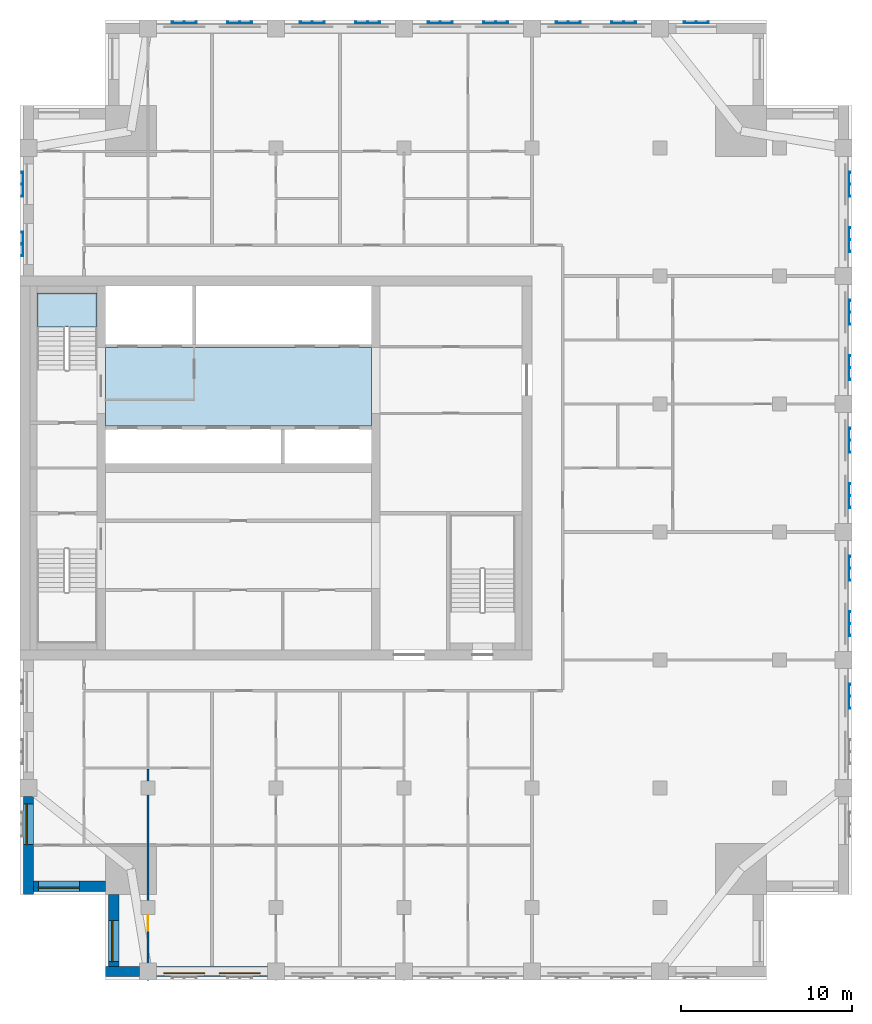
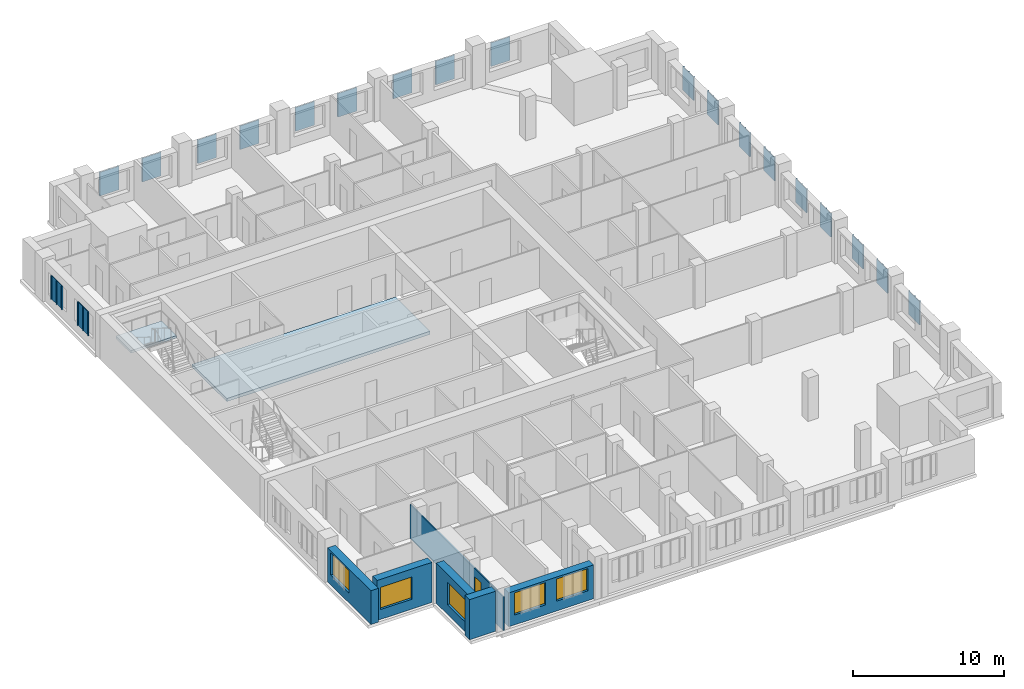
# One storey, part 2 of 10: 20 plates, 6 walls, 5 windows, 2 slabs, 1 door, 6 openings, 1 element without a shape of its own.
"""IFC4 building model written with IfcOpenShell, lengths in metres."""

import ifcopenshell
import ifcopenshell.guid

model = None  # the IFC model being written
_history = None  # IfcOwnerHistory: only IFC2X3 demands one
_inside = {}  # id of a spatial element -> (the spatial element, [elements in it])
_under = {}  # id of a project, library or spatial element -> (it, [spatial elements below it])
_declared = {}  # id of a project -> (the project, [libraries it declares])
_typed = {}  # id of a type object -> (the type object, [elements of that type])
_made_of = {}  # id of a material, layer set ... -> (it, [elements and type objects made of it])


def new_model(schema):
    """Start an empty IFC model of exactly this schema.

    Asked for "IFC4X3", IfcOpenShell would pick the latest addendum, in which some entities
    have other attributes; the version numbers below select the first issue.
    IFC2X3 requires an IfcOwnerHistory on every rooted entity: one is made here for all.
    """
    global model, _history
    if schema == "IFC4X3":
        model = ifcopenshell.file(schema_version=(4, 3, 0, 0))
    else:
        model = ifcopenshell.file(schema=schema)
    _inside.clear()
    _under.clear()
    _declared.clear()
    _typed.clear()
    _made_of.clear()
    _history = None
    if model.schema == "IFC2X3":
        org = make("IfcOrganization", Name="unknown")
        user = make(
            "IfcPersonAndOrganization",
            ThePerson=make("IfcPerson", FamilyName="unknown"),
            TheOrganization=org,
        )
        app = make(
            "IfcApplication",
            ApplicationDeveloper=org,
            Version="unknown",
            ApplicationFullName="unknown",
            ApplicationIdentifier="unknown",
        )
        _history = make(
            "IfcOwnerHistory",
            OwningUser=user,
            OwningApplication=app,
            ChangeAction="ADDED",
            CreationDate=0,
        )
    return model


def make(cls, **values):
    """One entity of the class cls with the attributes given. An attribute that is None is left unset."""
    return model.create_entity(
        cls, **{name: value for name, value in values.items() if value is not None}
    )


def rooted(cls, **values):
    """An entity with a GlobalId (a new one), such as an element, a storey or a relation."""
    return make(cls, GlobalId=ifcopenshell.guid.new(), OwnerHistory=_history, **values)


def si_unit(unit_type, name, prefix=None):
    """IfcSIUnit, for example si_unit("LENGTHUNIT", "METRE", prefix="MILLI")."""
    return make("IfcSIUnit", UnitType=unit_type, Prefix=prefix, Name=name)


def assignment(units):
    """IfcUnitAssignment: the units of a project."""
    return None if units is None else make("IfcUnitAssignment", Units=units)


def point(xyz):
    """IfcCartesianPoint."""
    return None if xyz is None else make("IfcCartesianPoint", Coordinates=xyz)


def direction(xyz):
    """IfcDirection."""
    return None if xyz is None else make("IfcDirection", DirectionRatios=xyz)


def frame(location, z_axis=None, x_axis=None):
    """IfcAxis2Placement3D, a coordinate frame: its origin and axes. An axis left out is left unset."""
    return make(
        "IfcAxis2Placement3D",
        Location=point(location),
        Axis=direction(z_axis),
        RefDirection=direction(x_axis),
    )


def frame_2d(location, x_axis=None):
    """IfcAxis2Placement2D, a coordinate frame in the plane: its origin and x axis."""
    return make(
        "IfcAxis2Placement2D", Location=point(location), RefDirection=direction(x_axis)
    )


def origin():
    """The frame at (0, 0, 0) with its axes left unset."""
    return frame((0.0, 0.0, 0.0))


def place(relative_to, where):
    """IfcLocalPlacement: puts the frame where relative to a parent placement (None: the world)."""
    return make(
        "IfcLocalPlacement", PlacementRelTo=relative_to, RelativePlacement=where
    )


def context(
    kind, dimensions, precision=None, world=None, true_north=None, identifier=None
):
    """IfcGeometricRepresentationContext, for example the 3D "Model" context."""
    return make(
        "IfcGeometricRepresentationContext",
        ContextIdentifier=identifier,
        ContextType=kind,
        CoordinateSpaceDimension=dimensions,
        Precision=precision,
        WorldCoordinateSystem=world,
        TrueNorth=true_north,
    )


def subcontext(parent, identifier, kind, view, scale=None):
    """IfcGeometricRepresentationSubContext, for example "Body" below "Model"."""
    return make(
        "IfcGeometricRepresentationSubContext",
        ContextIdentifier=identifier,
        ContextType=kind,
        ParentContext=parent,
        TargetScale=scale,
        TargetView=view,
    )


def project(units=None, contexts=None):
    """IfcProject with its units and contexts."""
    return rooted(
        "IfcProject",
        Name="project",
        RepresentationContexts=contexts,
        UnitsInContext=assignment(units),
    )


def spatial(cls, under=None, at=None, **own):
    """A site, building, storey or space (cls), placed at a placement, below another one or the project."""
    s = rooted(cls, ObjectPlacement=at, **own)
    if under is not None:
        _under.setdefault(under.id(), (under, []))[1].append(s)
    return s


def polyline(points):
    """IfcPolyline through the points."""
    return make("IfcPolyline", Points=[point(p) for p in points])


def profile(cls, at=None, kind="AREA", **sizes):
    """A parametric profile (cls). Its sizes go by their IFC names, for example OverallWidth=200.0."""
    return make(cls, ProfileType=kind, Position=at, **sizes)


def rectangle(**sizes):
    """IfcRectangleProfileDef."""
    return profile("IfcRectangleProfileDef", **sizes)


def outline(outer, holes=None, kind="AREA"):
    """IfcArbitraryClosedProfileDef: a profile drawn as a closed curve; with holes, ...WithVoids."""
    if holes is None:
        return make("IfcArbitraryClosedProfileDef", ProfileType=kind, OuterCurve=outer)
    return make(
        "IfcArbitraryProfileDefWithVoids",
        ProfileType=kind,
        OuterCurve=outer,
        InnerCurves=holes,
    )


def extrude(swept, where, along, depth):
    """IfcExtrudedAreaSolid: the profile swept, set in the frame where, extruded along a direction by depth."""
    return make(
        "IfcExtrudedAreaSolid",
        SweptArea=swept,
        Position=where,
        ExtrudedDirection=direction(along),
        Depth=depth,
    )


def shape(context_of_items, identifier, shape_type, items):
    """IfcShapeRepresentation: the items that make up one representation, for example the "Body"."""
    return make(
        "IfcShapeRepresentation",
        ContextOfItems=context_of_items,
        RepresentationIdentifier=identifier,
        RepresentationType=shape_type,
        Items=items,
    )


def material(Name=None, Category=None):
    """IfcMaterial."""
    return make("IfcMaterial", Name=Name, Category=Category)


def layer(
    of_material, thickness, ventilated=None, Name=None, Category=None, Priority=None
):
    """IfcMaterialLayer: one layer of a wall or slab, of a material (None: an air gap)."""
    return make(
        "IfcMaterialLayer",
        Material=of_material,
        LayerThickness=thickness,
        IsVentilated=ventilated,
        Name=Name,
        Category=Category,
        Priority=Priority,
    )


def layer_set(layers, Name=None):
    """IfcMaterialLayerSet."""
    return make("IfcMaterialLayerSet", MaterialLayers=layers, LayerSetName=Name)


def made_of(thing, what):
    """Note that an element or type object is made of a material, layer set ...; save() writes the relation."""
    if what is not None:
        _made_of.setdefault(what.id(), (what, []))[1].append(thing)
    return thing


def type_object(cls, material=None, **own):
    """A type object (cls), such as IfcWallType, which elements share."""
    return made_of(rooted(cls, **own), material)


def element(
    cls,
    number,
    at=None,
    inside=None,
    cuts=None,
    type_object=None,
    material=None,
    context=None,
    identifier="Body",
    shape_type=None,
    held_by="IfcProductDefinitionShape",
    body=None,
    shapes=None,
    **own,
):
    """One element of the class cls, such as IfcWall. Its Tag is "e" and its number.

    at: its placement. inside: the storey or other place that contains it. cuts: it is an
    opening in that element (IfcRelVoidsElement). A single representation is given by context,
    identifier, shape_type and body (its items); several are given by shapes. held_by: the class
    of the entity that holds the representations. save() writes the other relations.
    """
    e = rooted(cls, Tag="e%d" % number, ObjectPlacement=at, **own)
    if body is not None:
        shapes = [shape(context, identifier, shape_type, body)]
    if shapes is not None:
        e.Representation = make(held_by, Representations=shapes)
    if inside is not None:
        _inside.setdefault(inside.id(), (inside, []))[1].append(e)
    if cuts is not None:
        rooted(
            "IfcRelVoidsElement", RelatingBuildingElement=cuts, RelatedOpeningElement=e
        )
    if type_object is not None:
        _typed.setdefault(type_object.id(), (type_object, []))[1].append(e)
    return made_of(e, material)


def fill(opening, filler):
    """IfcRelFillsElement: the door or window that sits in an opening."""
    return rooted(
        "IfcRelFillsElement",
        RelatingOpeningElement=opening,
        RelatedBuildingElement=filler,
    )


def aggregate(whole, parts):
    """IfcRelAggregates: a whole, such as a stair, and the parts it consists of."""
    return rooted("IfcRelAggregates", RelatingObject=whole, RelatedObjects=parts)


def save(model, path):
    """Write the relations noted so far, then the file.

    IfcRelAggregates (storeys below a building ...), IfcRelContainedInSpatialStructure (elements
    in a storey), IfcRelDefinesByType, IfcRelAssociatesMaterial and IfcRelDeclares: one each for
    every whole, place, type object, material and project.
    """
    for whole, parts in _under.values():
        aggregate(whole, parts)
    for where, things in _inside.values():
        rooted(
            "IfcRelContainedInSpatialStructure",
            RelatedElements=things,
            RelatingStructure=where,
        )
    for kind, things in _typed.values():
        rooted("IfcRelDefinesByType", RelatedObjects=things, RelatingType=kind)
    for what, things in _made_of.values():
        rooted("IfcRelAssociatesMaterial", RelatedObjects=things, RelatingMaterial=what)
    for by, libraries in _declared.values():
        rooted("IfcRelDeclares", RelatingContext=by, RelatedDefinitions=libraries)
    model.write(path)


model = new_model("IFC4")

# Units and contexts
model_context = context("Model", 3, precision=1e-05, world=origin(), true_north=direction((0.0, 1.0)))
body_context = subcontext(model_context, "Body", "Model", "MODEL_VIEW")
ifc_project = project(units=[si_unit("LENGTHUNIT", "METRE"), si_unit("AREAUNIT", "SQUARE_METRE"), si_unit("VOLUMEUNIT", "CUBIC_METRE"), si_unit("PLANEANGLEUNIT", "RADIAN"), si_unit("MASSUNIT", "GRAM", prefix="KILO")], contexts=[model_context])

# Site, building, storey
site_placement = place(None, origin())
site = spatial("IfcSite", under=ifc_project, at=site_placement, CompositionType="ELEMENT")
building_placement = place(site_placement, origin())
building = spatial("IfcBuilding", under=site, at=building_placement, Name="Tamorin Gate", CompositionType="ELEMENT")
storey_placement = place(building_placement, frame((0.0, 0.0, 237.199951171875)))
storey = spatial("IfcBuildingStorey", under=building, at=storey_placement, Name="L59", CompositionType="ELEMENT", Elevation=237.199951171875)

# Slab
ifc_material_1 = material(Name="Concrete C40/50", Category="concrete")
ifc_layer_1 = layer(ifc_material_1, 0.25)
ifc_layer_set_1 = layer_set([ifc_layer_1], Name="Core floor slab 250 C40/50")
slab_type_1 = type_object("IfcSlabType", Name="Core floor slab 250 C40/50", PredefinedType="FLOOR", material=ifc_layer_set_1)
slab_1_placement = place(storey_placement, frame((0.0, 0.0, -0.25)))
element("IfcSlab", 1, at=slab_1_placement, inside=storey, type_object=slab_type_1, Name="Core floor L59", PredefinedType="FLOOR", context=body_context, shape_type="SweptSolid", body=[
    extrude(outline(polyline([(50.60009765625, 73.699951171875), (35.0, 73.699951171875), (35.0, 78.300048828125), (50.60009765625, 78.300048828125), (50.60009765625, 73.699951171875)])), origin(), (0.0, 0.0, 1.0), 0.25),
])

# Stair, slab
stair_type = type_object("IfcStairType", Name="Exit stair", PredefinedType="HALF_TURN_STAIR", material=ifc_material_1)
stair_placement = place(storey_placement, origin())
stair = element("IfcStair", 2, at=stair_placement, inside=storey, type_object=stair_type, Name="L59 stair ST2", PredefinedType="HALF_TURN_STAIR")
ifc_layer_2 = layer(ifc_material_1, 0.199951171875)
ifc_layer_set_2 = layer_set([ifc_layer_2], Name="Exit stair landing 200")
slab_type_2 = type_object("IfcSlabType", Name="Exit stair landing 200", PredefinedType="LANDING", material=ifc_layer_set_2)
slab_2_placement = place(storey_placement, frame((0.0, 0.0, 1.550048828125)))
slab_2 = element("IfcSlab", 3, at=slab_2_placement, type_object=slab_type_2, Name="ST2 landing 1", PredefinedType="LANDING", context=body_context, shape_type="SweptSolid", body=[
    extrude(outline(polyline([(34.5, 79.52001953125), (34.5, 81.5), (31.0, 81.5), (31.0, 79.52001953125), (34.5, 79.52001953125)])), origin(), (0.0, 0.0, 1.0), 0.199951171875),
])
aggregate(stair, [slab_2])

# Plates
ifc_material_2 = material(Name="Perforated pale aluminium sheet", Category="aluminium")
ifc_layer_3 = layer(ifc_material_2, 0.0400390625)
ifc_layer_set_3 = layer_set([ifc_layer_3], Name="Pale metal solar screen 1440")
plate_type = type_object("IfcPlateType", Name="Pale metal solar screen 1440", PredefinedType="SHEET", material=ifc_layer_set_3)
plate_1_placement = place(storey_placement, frame((0.0, 0.0, 0.737548828125)))
element("IfcPlate", 4, at=plate_1_placement, inside=storey, type_object=plate_type, Name="Perforated solar screen", PredefinedType="SHEET", context=body_context, shape_type="SweptSolid", body=[
    extrude(outline(polyline([(78.590087890625, 57.155029296875), (78.550048828125, 57.155029296875), (78.550048828125, 57.215087890625), (78.550048828125, 57.844970703125), (78.550048828125, 57.905029296875), (78.550048828125, 58.534912109375), (78.550048828125, 58.594970703125), (78.590087890625, 58.594970703125), (78.64990234375, 58.594970703125), (78.64990234375, 58.534912109375), (78.590087890625, 58.534912109375), (78.590087890625, 57.905029296875), (78.64990234375, 57.905029296875), (78.64990234375, 57.844970703125), (78.590087890625, 57.844970703125), (78.590087890625, 57.215087890625), (78.64990234375, 57.215087890625), (78.64990234375, 57.155029296875), (78.590087890625, 57.155029296875)])), origin(), (0.0, 0.0, 1.0), 1.925048828125),
])
plate_2_placement = place(storey_placement, frame((0.0, 0.0, 0.737548828125)))
element("IfcPlate", 5, at=plate_2_placement, inside=storey, type_object=plate_type, Name="Perforated solar screen", PredefinedType="SHEET", context=body_context, shape_type="SweptSolid", body=[
    extrude(outline(polyline([(78.590087890625, 61.405029296875), (78.550048828125, 61.405029296875), (78.550048828125, 61.465087890625), (78.550048828125, 62.094970703125), (78.550048828125, 62.155029296875), (78.550048828125, 62.784912109375), (78.550048828125, 62.844970703125), (78.590087890625, 62.844970703125), (78.64990234375, 62.844970703125), (78.64990234375, 62.784912109375), (78.590087890625, 62.784912109375), (78.590087890625, 62.155029296875), (78.64990234375, 62.155029296875), (78.64990234375, 62.094970703125), (78.590087890625, 62.094970703125), (78.590087890625, 61.465087890625), (78.64990234375, 61.465087890625), (78.64990234375, 61.405029296875), (78.590087890625, 61.405029296875)])), origin(), (0.0, 0.0, 1.0), 1.925048828125),
])
plate_3_placement = place(storey_placement, frame((0.0, 0.0, 0.737548828125)))
element("IfcPlate", 6, at=plate_3_placement, inside=storey, type_object=plate_type, Name="Perforated solar screen", PredefinedType="SHEET", context=body_context, shape_type="SweptSolid", body=[
    extrude(outline(polyline([(78.590087890625, 64.655029296875), (78.550048828125, 64.655029296875), (78.550048828125, 64.715087890625), (78.550048828125, 65.344970703125), (78.550048828125, 65.405029296875), (78.550048828125, 66.034912109375), (78.550048828125, 66.094970703125), (78.590087890625, 66.094970703125), (78.64990234375, 66.094970703125), (78.64990234375, 66.034912109375), (78.590087890625, 66.034912109375), (78.590087890625, 65.405029296875), (78.64990234375, 65.405029296875), (78.64990234375, 65.344970703125), (78.590087890625, 65.344970703125), (78.590087890625, 64.715087890625), (78.64990234375, 64.715087890625), (78.64990234375, 64.655029296875), (78.590087890625, 64.655029296875)])), origin(), (0.0, 0.0, 1.0), 1.925048828125),
])
plate_4_placement = place(storey_placement, frame((0.0, 0.0, 0.737548828125)))
element("IfcPlate", 7, at=plate_4_placement, inside=storey, type_object=plate_type, Name="Perforated solar screen", PredefinedType="SHEET", context=body_context, shape_type="SweptSolid", body=[
    extrude(outline(polyline([(78.590087890625, 68.905029296875), (78.550048828125, 68.905029296875), (78.550048828125, 68.965087890625), (78.550048828125, 69.594970703125), (78.550048828125, 69.655029296875), (78.550048828125, 70.284912109375), (78.550048828125, 70.344970703125), (78.590087890625, 70.344970703125), (78.64990234375, 70.344970703125), (78.64990234375, 70.284912109375), (78.590087890625, 70.284912109375), (78.590087890625, 69.655029296875), (78.64990234375, 69.655029296875), (78.64990234375, 69.594970703125), (78.590087890625, 69.594970703125), (78.590087890625, 68.965087890625), (78.64990234375, 68.965087890625), (78.64990234375, 68.905029296875), (78.590087890625, 68.905029296875)])), origin(), (0.0, 0.0, 1.0), 1.925048828125),
])
plate_5_placement = place(storey_placement, frame((0.0, 0.0, 0.737548828125)))
element("IfcPlate", 8, at=plate_5_placement, inside=storey, type_object=plate_type, Name="Perforated solar screen", PredefinedType="SHEET", context=body_context, shape_type="SweptSolid", body=[
    extrude(outline(polyline([(78.590087890625, 72.155029296875), (78.550048828125, 72.155029296875), (78.550048828125, 72.215087890625), (78.550048828125, 72.844970703125), (78.550048828125, 72.905029296875), (78.550048828125, 73.534912109375), (78.550048828125, 73.594970703125), (78.590087890625, 73.594970703125), (78.64990234375, 73.594970703125), (78.64990234375, 73.534912109375), (78.590087890625, 73.534912109375), (78.590087890625, 72.905029296875), (78.64990234375, 72.905029296875), (78.64990234375, 72.844970703125), (78.590087890625, 72.844970703125), (78.590087890625, 72.215087890625), (78.64990234375, 72.215087890625), (78.64990234375, 72.155029296875), (78.590087890625, 72.155029296875)])), origin(), (0.0, 0.0, 1.0), 1.925048828125),
])
plate_6_placement = place(storey_placement, frame((0.0, 0.0, 0.737548828125)))
element("IfcPlate", 9, at=plate_6_placement, inside=storey, type_object=plate_type, Name="Perforated solar screen", PredefinedType="SHEET", context=body_context, shape_type="SweptSolid", body=[
    extrude(outline(polyline([(78.590087890625, 76.405029296875), (78.550048828125, 76.405029296875), (78.550048828125, 76.465087890625), (78.550048828125, 77.094970703125), (78.550048828125, 77.155029296875), (78.550048828125, 77.784912109375), (78.550048828125, 77.844970703125), (78.590087890625, 77.844970703125), (78.64990234375, 77.844970703125), (78.64990234375, 77.784912109375), (78.590087890625, 77.784912109375), (78.590087890625, 77.155029296875), (78.64990234375, 77.155029296875), (78.64990234375, 77.094970703125), (78.590087890625, 77.094970703125), (78.590087890625, 76.465087890625), (78.64990234375, 76.465087890625), (78.64990234375, 76.405029296875), (78.590087890625, 76.405029296875)])), origin(), (0.0, 0.0, 1.0), 1.925048828125),
])
plate_7_placement = place(storey_placement, frame((0.0, 0.0, 0.737548828125)))
element("IfcPlate", 10, at=plate_7_placement, inside=storey, type_object=plate_type, Name="Perforated solar screen", PredefinedType="SHEET", context=body_context, shape_type="SweptSolid", body=[
    extrude(outline(polyline([(78.590087890625, 79.655029296875), (78.550048828125, 79.655029296875), (78.550048828125, 79.715087890625), (78.550048828125, 80.344970703125), (78.550048828125, 80.405029296875), (78.550048828125, 81.034912109375), (78.550048828125, 81.094970703125), (78.590087890625, 81.094970703125), (78.64990234375, 81.094970703125), (78.64990234375, 81.034912109375), (78.590087890625, 81.034912109375), (78.590087890625, 80.405029296875), (78.64990234375, 80.405029296875), (78.64990234375, 80.344970703125), (78.590087890625, 80.344970703125), (78.590087890625, 79.715087890625), (78.64990234375, 79.715087890625), (78.64990234375, 79.655029296875), (78.590087890625, 79.655029296875)])), origin(), (0.0, 0.0, 1.0), 1.925048828125),
])
plate_8_placement = place(storey_placement, frame((0.0, 0.0, 0.737548828125)))
element("IfcPlate", 11, at=plate_8_placement, inside=storey, type_object=plate_type, Name="Perforated solar screen", PredefinedType="SHEET", context=body_context, shape_type="SweptSolid", body=[
    extrude(outline(polyline([(78.590087890625, 83.905029296875), (78.550048828125, 83.905029296875), (78.550048828125, 83.965087890625), (78.550048828125, 84.594970703125), (78.550048828125, 84.655029296875), (78.550048828125, 85.284912109375), (78.550048828125, 85.344970703125), (78.590087890625, 85.344970703125), (78.64990234375, 85.344970703125), (78.64990234375, 85.284912109375), (78.590087890625, 85.284912109375), (78.590087890625, 84.655029296875), (78.64990234375, 84.655029296875), (78.64990234375, 84.594970703125), (78.590087890625, 84.594970703125), (78.590087890625, 83.965087890625), (78.64990234375, 83.965087890625), (78.64990234375, 83.905029296875), (78.590087890625, 83.905029296875)])), origin(), (0.0, 0.0, 1.0), 1.925048828125),
])
plate_9_placement = place(storey_placement, frame((0.0, 0.0, 0.737548828125)))
element("IfcPlate", 12, at=plate_9_placement, inside=storey, type_object=plate_type, Name="Perforated solar screen", PredefinedType="SHEET", context=body_context, shape_type="SweptSolid", body=[
    extrude(outline(polyline([(78.590087890625, 87.155029296875), (78.550048828125, 87.155029296875), (78.550048828125, 87.215087890625), (78.550048828125, 87.844970703125), (78.550048828125, 87.905029296875), (78.550048828125, 88.534912109375), (78.550048828125, 88.594970703125), (78.590087890625, 88.594970703125), (78.64990234375, 88.594970703125), (78.64990234375, 88.534912109375), (78.590087890625, 88.534912109375), (78.590087890625, 87.905029296875), (78.64990234375, 87.905029296875), (78.64990234375, 87.844970703125), (78.590087890625, 87.844970703125), (78.590087890625, 87.215087890625), (78.64990234375, 87.215087890625), (78.64990234375, 87.155029296875), (78.590087890625, 87.155029296875)])), origin(), (0.0, 0.0, 1.0), 1.925048828125),
])
plate_10_placement = place(storey_placement, frame((0.0, 0.0, 0.737548828125)))
element("IfcPlate", 13, at=plate_10_placement, inside=storey, type_object=plate_type, Name="Perforated solar screen", PredefinedType="SHEET", context=body_context, shape_type="SweptSolid", body=[
    extrude(outline(polyline([(70.344970703125, 97.340087890625), (70.344970703125, 97.300048828125), (70.284912109375, 97.300048828125), (69.655029296875, 97.300048828125), (69.594970703125, 97.300048828125), (68.965087890625, 97.300048828125), (68.905029296875, 97.300048828125), (68.905029296875, 97.300048828125), (68.905029296875, 97.340087890625), (68.905029296875, 97.340087890625), (68.905029296875, 97.39990234375), (68.965087890625, 97.39990234375), (68.965087890625, 97.340087890625), (69.594970703125, 97.340087890625), (69.594970703125, 97.39990234375), (69.655029296875, 97.39990234375), (69.655029296875, 97.340087890625), (70.284912109375, 97.340087890625), (70.284912109375, 97.39990234375), (70.344970703125, 97.39990234375), (70.344970703125, 97.340087890625)])), origin(), (0.0, 0.0, 1.0), 1.925048828125),
])
plate_11_placement = place(storey_placement, frame((0.0, 0.0, 0.737548828125)))
element("IfcPlate", 14, at=plate_11_placement, inside=storey, type_object=plate_type, Name="Perforated solar screen", PredefinedType="SHEET", context=body_context, shape_type="SweptSolid", body=[
    extrude(outline(polyline([(62.844970703125, 97.340087890625), (62.844970703125, 97.300048828125), (62.784912109375, 97.300048828125), (62.155029296875, 97.300048828125), (62.094970703125, 97.300048828125), (61.465087890625, 97.300048828125), (61.405029296875, 97.300048828125), (61.405029296875, 97.340087890625), (61.405029296875, 97.39990234375), (61.465087890625, 97.39990234375), (61.465087890625, 97.340087890625), (62.094970703125, 97.340087890625), (62.094970703125, 97.39990234375), (62.155029296875, 97.39990234375), (62.155029296875, 97.340087890625), (62.784912109375, 97.340087890625), (62.784912109375, 97.39990234375), (62.844970703125, 97.39990234375), (62.844970703125, 97.340087890625)])), origin(), (0.0, 0.0, 1.0), 1.925048828125),
])
plate_12_placement = place(storey_placement, frame((0.0, 0.0, 0.737548828125)))
element("IfcPlate", 15, at=plate_12_placement, inside=storey, type_object=plate_type, Name="Perforated solar screen", PredefinedType="SHEET", context=body_context, shape_type="SweptSolid", body=[
    extrude(outline(polyline([(66.094970703125, 97.340087890625), (66.094970703125, 97.300048828125), (66.034912109375, 97.300048828125), (65.405029296875, 97.300048828125), (65.344970703125, 97.300048828125), (64.715087890625, 97.300048828125), (64.655029296875, 97.300048828125), (64.655029296875, 97.340087890625), (64.655029296875, 97.39990234375), (64.715087890625, 97.39990234375), (64.715087890625, 97.340087890625), (65.344970703125, 97.340087890625), (65.344970703125, 97.39990234375), (65.405029296875, 97.39990234375), (65.405029296875, 97.340087890625), (66.034912109375, 97.340087890625), (66.034912109375, 97.39990234375), (66.094970703125, 97.39990234375), (66.094970703125, 97.340087890625)])), origin(), (0.0, 0.0, 1.0), 1.925048828125),
])
plate_13_placement = place(storey_placement, frame((0.0, 0.0, 0.737548828125)))
element("IfcPlate", 16, at=plate_13_placement, inside=storey, type_object=plate_type, Name="Perforated solar screen", PredefinedType="SHEET", context=body_context, shape_type="SweptSolid", body=[
    extrude(outline(polyline([(55.344970703125, 97.340087890625), (55.344970703125, 97.300048828125), (55.284912109375, 97.300048828125), (54.655029296875, 97.300048828125), (54.594970703125, 97.300048828125), (53.965087890625, 97.300048828125), (53.905029296875, 97.300048828125), (53.905029296875, 97.340087890625), (53.905029296875, 97.39990234375), (53.965087890625, 97.39990234375), (53.965087890625, 97.340087890625), (54.594970703125, 97.340087890625), (54.594970703125, 97.39990234375), (54.655029296875, 97.39990234375), (54.655029296875, 97.340087890625), (55.284912109375, 97.340087890625), (55.284912109375, 97.39990234375), (55.344970703125, 97.39990234375), (55.344970703125, 97.340087890625)])), origin(), (0.0, 0.0, 1.0), 1.925048828125),
])
plate_14_placement = place(storey_placement, frame((0.0, 0.0, 0.737548828125)))
element("IfcPlate", 17, at=plate_14_placement, inside=storey, type_object=plate_type, Name="Perforated solar screen", PredefinedType="SHEET", context=body_context, shape_type="SweptSolid", body=[
    extrude(outline(polyline([(58.594970703125, 97.340087890625), (58.594970703125, 97.300048828125), (58.534912109375, 97.300048828125), (57.905029296875, 97.300048828125), (57.844970703125, 97.300048828125), (57.215087890625, 97.300048828125), (57.155029296875, 97.300048828125), (57.155029296875, 97.340087890625), (57.155029296875, 97.39990234375), (57.215087890625, 97.39990234375), (57.215087890625, 97.340087890625), (57.844970703125, 97.340087890625), (57.844970703125, 97.39990234375), (57.905029296875, 97.39990234375), (57.905029296875, 97.340087890625), (58.534912109375, 97.340087890625), (58.534912109375, 97.39990234375), (58.594970703125, 97.39990234375), (58.594970703125, 97.340087890625)])), origin(), (0.0, 0.0, 1.0), 1.925048828125),
])
plate_15_placement = place(storey_placement, frame((0.0, 0.0, 0.737548828125)))
element("IfcPlate", 18, at=plate_15_placement, inside=storey, type_object=plate_type, Name="Perforated solar screen", PredefinedType="SHEET", context=body_context, shape_type="SweptSolid", body=[
    extrude(outline(polyline([(47.844970703125, 97.340087890625), (47.844970703125, 97.300048828125), (47.784912109375, 97.300048828125), (47.155029296875, 97.300048828125), (47.094970703125, 97.300048828125), (46.465087890625, 97.300048828125), (46.405029296875, 97.300048828125), (46.405029296875, 97.340087890625), (46.405029296875, 97.39990234375), (46.465087890625, 97.39990234375), (46.465087890625, 97.340087890625), (47.094970703125, 97.340087890625), (47.094970703125, 97.39990234375), (47.155029296875, 97.39990234375), (47.155029296875, 97.340087890625), (47.784912109375, 97.340087890625), (47.784912109375, 97.39990234375), (47.844970703125, 97.39990234375), (47.844970703125, 97.340087890625)])), origin(), (0.0, 0.0, 1.0), 1.925048828125),
])
plate_16_placement = place(storey_placement, frame((0.0, 0.0, 0.737548828125)))
element("IfcPlate", 19, at=plate_16_placement, inside=storey, type_object=plate_type, Name="Perforated solar screen", PredefinedType="SHEET", context=body_context, shape_type="SweptSolid", body=[
    extrude(outline(polyline([(51.094970703125, 97.340087890625), (51.094970703125, 97.300048828125), (51.034912109375, 97.300048828125), (50.405029296875, 97.300048828125), (50.344970703125, 97.300048828125), (49.715087890625, 97.300048828125), (49.655029296875, 97.300048828125), (49.655029296875, 97.340087890625), (49.655029296875, 97.39990234375), (49.715087890625, 97.39990234375), (49.715087890625, 97.340087890625), (50.344970703125, 97.340087890625), (50.344970703125, 97.39990234375), (50.405029296875, 97.39990234375), (50.405029296875, 97.340087890625), (51.034912109375, 97.340087890625), (51.034912109375, 97.39990234375), (51.094970703125, 97.39990234375), (51.094970703125, 97.340087890625)])), origin(), (0.0, 0.0, 1.0), 1.925048828125),
])
plate_17_placement = place(storey_placement, frame((0.0, 0.0, 0.737548828125)))
element("IfcPlate", 20, at=plate_17_placement, inside=storey, type_object=plate_type, Name="Perforated solar screen", PredefinedType="SHEET", context=body_context, shape_type="SweptSolid", body=[
    extrude(outline(polyline([(40.344970703125, 97.340087890625), (40.344970703125, 97.300048828125), (40.284912109375, 97.300048828125), (39.655029296875, 97.300048828125), (39.594970703125, 97.300048828125), (38.965087890625, 97.300048828125), (38.905029296875, 97.300048828125), (38.905029296875, 97.340087890625), (38.905029296875, 97.39990234375), (38.965087890625, 97.39990234375), (38.965087890625, 97.340087890625), (39.594970703125, 97.340087890625), (39.594970703125, 97.39990234375), (39.655029296875, 97.39990234375), (39.655029296875, 97.340087890625), (40.284912109375, 97.340087890625), (40.284912109375, 97.39990234375), (40.344970703125, 97.39990234375), (40.344970703125, 97.340087890625)])), origin(), (0.0, 0.0, 1.0), 1.925048828125),
])
plate_18_placement = place(storey_placement, frame((0.0, 0.0, 0.737548828125)))
element("IfcPlate", 21, at=plate_18_placement, inside=storey, type_object=plate_type, Name="Perforated solar screen", PredefinedType="SHEET", context=body_context, shape_type="SweptSolid", body=[
    extrude(outline(polyline([(43.594970703125, 97.340087890625), (43.594970703125, 97.300048828125), (43.534912109375, 97.300048828125), (42.905029296875, 97.300048828125), (42.844970703125, 97.300048828125), (42.215087890625, 97.300048828125), (42.155029296875, 97.300048828125), (42.155029296875, 97.340087890625), (42.155029296875, 97.39990234375), (42.215087890625, 97.39990234375), (42.215087890625, 97.340087890625), (42.844970703125, 97.340087890625), (42.844970703125, 97.39990234375), (42.905029296875, 97.39990234375), (42.905029296875, 97.340087890625), (43.534912109375, 97.340087890625), (43.534912109375, 97.39990234375), (43.594970703125, 97.39990234375), (43.594970703125, 97.340087890625)])), origin(), (0.0, 0.0, 1.0), 1.925048828125),
])
plate_19_placement = place(storey_placement, frame((0.0, 0.0, 0.737548828125)))
element("IfcPlate", 22, at=plate_19_placement, inside=storey, type_object=plate_type, Name="Perforated solar screen", PredefinedType="SHEET", context=body_context, shape_type="SweptSolid", body=[
    extrude(outline(polyline([(30.159912109375, 85.094970703125), (30.199951171875, 85.094970703125), (30.199951171875, 85.034912109375), (30.199951171875, 84.405029296875), (30.199951171875, 84.344970703125), (30.199951171875, 83.715087890625), (30.199951171875, 83.655029296875), (30.159912109375, 83.655029296875), (30.10009765625, 83.655029296875), (30.10009765625, 83.715087890625), (30.159912109375, 83.715087890625), (30.159912109375, 84.344970703125), (30.10009765625, 84.344970703125), (30.10009765625, 84.405029296875), (30.159912109375, 84.405029296875), (30.159912109375, 85.034912109375), (30.10009765625, 85.034912109375), (30.10009765625, 85.094970703125), (30.159912109375, 85.094970703125)])), origin(), (0.0, 0.0, 1.0), 1.925048828125),
])
plate_20_placement = place(storey_placement, frame((0.0, 0.0, 0.737548828125)))
element("IfcPlate", 23, at=plate_20_placement, inside=storey, type_object=plate_type, Name="Perforated solar screen", PredefinedType="SHEET", context=body_context, shape_type="SweptSolid", body=[
    extrude(outline(polyline([(30.159912109375, 88.594970703125), (30.199951171875, 88.594970703125), (30.199951171875, 88.534912109375), (30.199951171875, 87.905029296875), (30.199951171875, 87.844970703125), (30.199951171875, 87.215087890625), (30.199951171875, 87.155029296875), (30.199951171875, 87.155029296875), (30.159912109375, 87.155029296875), (30.159912109375, 87.155029296875), (30.10009765625, 87.155029296875), (30.10009765625, 87.215087890625), (30.159912109375, 87.215087890625), (30.159912109375, 87.844970703125), (30.10009765625, 87.844970703125), (30.10009765625, 87.905029296875), (30.159912109375, 87.905029296875), (30.159912109375, 88.534912109375), (30.10009765625, 88.534912109375), (30.10009765625, 88.594970703125), (30.159912109375, 88.594970703125)])), origin(), (0.0, 0.0, 1.0), 1.925048828125),
])

# Wall
ifc_material_3 = material(Name="Precast concrete C40/50", Category="concrete")
ifc_layer_4 = layer(ifc_material_3, 0.60009765625)
ifc_layer_set_4 = layer_set([ifc_layer_4], Name="Precast concrete C40/50")
wall_type_1 = type_object("IfcWallType", Name="Board-marked concrete facade panel 600", PredefinedType="SOLIDWALL", material=ifc_layer_set_4)
wall_1_placement = place(storey_placement, frame((35.0, 41.75, 0.0), z_axis=(0.0, 0.0, 1.0), x_axis=(1.0, 0.0, 0.0)))
element("IfcWall", 24, at=wall_1_placement, inside=storey, type_object=wall_type_1, Name="Facade panel", PredefinedType="SOLIDWALL", context=body_context, shape_type="SweptSolid", body=[
    extrude(rectangle(XDim=2.0, YDim=0.60009765625, at=frame_2d((1.0, 0.0))), origin(), (0.0, 0.0, 1.0), 3.25),
])

# Wall, openings, windows
wall_2_placement = place(storey_placement, frame((38.0, 41.75, 0.0), z_axis=(0.0, 0.0, 1.0), x_axis=(1.0, 0.0, 0.0)))
wall_2 = element("IfcWall", 25, at=wall_2_placement, inside=storey, type_object=wall_type_1, Name="Facade panel", PredefinedType="SOLIDWALL", context=body_context, shape_type="SweptSolid", body=[
    extrude(rectangle(XDim=6.5, YDim=0.60009765625, at=frame_2d((3.25, 0.0))), origin(), (0.0, 0.0, 1.0), 2.75),
])
opening_1_placement = place(wall_2_placement, frame((0.425048828125, 0.0, 0.800048828125)))
opening_1 = element("IfcOpeningElement", 26, at=opening_1_placement, cuts=wall_2, Name="Opening WN1", PredefinedType="OPENING", context=body_context, shape_type="SweptSolid", body=[
    extrude(rectangle(XDim=2.39990234375, YDim=1.800048828125, at=frame_2d((1.199951171875, 0.89990234375))), frame((0.0, 0.31005859375, 0.0), z_axis=(0.0, -1.0, 0.0), x_axis=(1.0, 0.0, 0.0)), (0.0, 0.0, 1.0), 0.6201171875),
])
opening_2_placement = place(wall_2_placement, frame((3.675048828125, 0.0, 0.800048828125)))
opening_2 = element("IfcOpeningElement", 27, at=opening_2_placement, cuts=wall_2, Name="Opening WN1", PredefinedType="OPENING", context=body_context, shape_type="SweptSolid", body=[
    extrude(rectangle(XDim=2.39990234375, YDim=1.800048828125, at=frame_2d((1.199951171875, 0.89990234375))), frame((0.0, 0.31005859375, 0.0), z_axis=(0.0, -1.0, 0.0), x_axis=(1.0, 0.0, 0.0)), (0.0, 0.0, 1.0), 0.6201171875),
])
ifc_material_4 = material(Name="Clear glass in aluminium frame", Category="aluminium")
window_type = type_object("IfcWindowType", Name="Deep-set window 2400x1800", PartitioningType="SINGLE_PANEL", PredefinedType="WINDOW", material=ifc_material_4)
window_1_placement = place(opening_1_placement, origin())
window_1 = element("IfcWindow", 28, at=window_1_placement, inside=storey, type_object=window_type, Name="Deep-set window", OverallHeight=1.800048828125, OverallWidth=2.39990234375, PartitioningType="SINGLE_PANEL", PredefinedType="WINDOW", context=body_context, shape_type="SweptSolid", body=[
    extrude(rectangle(XDim=2.39990234375, YDim=1.800048828125, at=frame_2d((1.199951171875, 0.89990234375))), frame((0.0, -0.070068359375, 0.0), z_axis=(0.0, -1.0, 0.0), x_axis=(1.0, 0.0, 0.0)), (0.0, 0.0, 1.0), 0.06005859375),
])
fill(opening_1, window_1)
window_2_placement = place(opening_2_placement, origin())
window_2 = element("IfcWindow", 29, at=window_2_placement, inside=storey, type_object=window_type, Name="Deep-set window", OverallHeight=1.800048828125, OverallWidth=2.39990234375, PartitioningType="SINGLE_PANEL", PredefinedType="WINDOW", context=body_context, shape_type="SweptSolid", body=[
    extrude(rectangle(XDim=2.39990234375, YDim=1.800048828125, at=frame_2d((1.199951171875, 0.89990234375))), frame((0.0, -0.070068359375, 0.0), z_axis=(0.0, -1.0, 0.0), x_axis=(1.0, 0.0, 0.0)), (0.0, 0.0, 1.0), 0.06005859375),
])
fill(opening_2, window_2)

# Wall, opening, window
wall_3_placement = place(storey_placement, frame((30.5, 52.0, 0.0), z_axis=(0.0, 0.0, 1.0), x_axis=(0.0, -1.0, 0.0)))
wall_3 = element("IfcWall", 30, at=wall_3_placement, inside=storey, type_object=wall_type_1, Name="Facade panel", PredefinedType="SOLIDWALL", context=body_context, shape_type="SweptSolid", body=[
    extrude(rectangle(XDim=5.75, YDim=0.60009765625, at=frame_2d((2.875, 0.0))), origin(), (0.0, 0.0, 1.0), 2.75),
])
opening_3_placement = place(wall_3_placement, frame((0.425048828125, 0.0, 0.800048828125)))
opening_3 = element("IfcOpeningElement", 31, at=opening_3_placement, cuts=wall_3, Name="Opening WN1", PredefinedType="OPENING", context=body_context, shape_type="SweptSolid", body=[
    extrude(rectangle(XDim=2.39990234375, YDim=1.800048828125, at=frame_2d((1.199951171875, 0.89990234375))), frame((0.0, 0.31005859375, 0.0), z_axis=(0.0, -1.0, 0.0), x_axis=(1.0, 0.0, 0.0)), (0.0, 0.0, 1.0), 0.6201171875),
])
window_3_placement = place(opening_3_placement, origin())
window_3 = element("IfcWindow", 32, at=window_3_placement, inside=storey, type_object=window_type, Name="Deep-set window", OverallHeight=1.800048828125, OverallWidth=2.39990234375, PartitioningType="SINGLE_PANEL", PredefinedType="WINDOW", context=body_context, shape_type="SweptSolid", body=[
    extrude(rectangle(XDim=2.39990234375, YDim=1.800048828125, at=frame_2d((1.199951171875, 0.89990234375))), frame((0.0, -0.070068359375, 0.0), z_axis=(0.0, -1.0, 0.0), x_axis=(1.0, 0.0, 0.0)), (0.0, 0.0, 1.0), 0.06005859375),
])
fill(opening_3, window_3)

wall_4_placement = place(storey_placement, frame((30.800048828125, 46.75, 0.0), z_axis=(0.0, 0.0, 1.0), x_axis=(1.0, 0.0, 0.0)))
wall_4 = element("IfcWall", 33, at=wall_4_placement, inside=storey, type_object=wall_type_1, Name="Facade panel", PredefinedType="SOLIDWALL", context=body_context, shape_type="SweptSolid", body=[
    extrude(rectangle(XDim=4.199951171875, YDim=0.60009765625, at=frame_2d((2.10009765625, 0.0))), origin(), (0.0, 0.0, 1.0), 3.25),
])
opening_4_placement = place(wall_4_placement, frame((0.27490234375, 0.0, 0.800048828125)))
opening_4 = element("IfcOpeningElement", 34, at=opening_4_placement, cuts=wall_4, Name="Opening WN1", PredefinedType="OPENING", context=body_context, shape_type="SweptSolid", body=[
    extrude(rectangle(XDim=2.39990234375, YDim=1.800048828125, at=frame_2d((1.199951171875, 0.89990234375))), frame((0.0, 0.31005859375, 0.0), z_axis=(0.0, -1.0, 0.0), x_axis=(1.0, 0.0, 0.0)), (0.0, 0.0, 1.0), 0.6201171875),
])
window_4_placement = place(opening_4_placement, origin())
window_4 = element("IfcWindow", 35, at=window_4_placement, inside=storey, type_object=window_type, Name="Deep-set window", OverallHeight=1.800048828125, OverallWidth=2.39990234375, PartitioningType="SINGLE_PANEL", PredefinedType="WINDOW", context=body_context, shape_type="SweptSolid", body=[
    extrude(rectangle(XDim=2.39990234375, YDim=1.800048828125, at=frame_2d((1.199951171875, 0.89990234375))), frame((0.0, -0.070068359375, 0.0), z_axis=(0.0, -1.0, 0.0), x_axis=(1.0, 0.0, 0.0)), (0.0, 0.0, 1.0), 0.06005859375),
])
fill(opening_4, window_4)

wall_5_placement = place(storey_placement, frame((35.5, 46.25, 0.0), z_axis=(0.0, 0.0, 1.0), x_axis=(0.0, -1.0, 0.0)))
wall_5 = element("IfcWall", 36, at=wall_5_placement, inside=storey, type_object=wall_type_1, Name="Facade panel", PredefinedType="SOLIDWALL", context=body_context, shape_type="SweptSolid", body=[
    extrude(rectangle(XDim=4.199951171875, YDim=0.60009765625, at=frame_2d((2.10009765625, 0.0))), origin(), (0.0, 0.0, 1.0), 3.25),
])
opening_5_placement = place(wall_5_placement, frame((1.52490234375, 0.0, 0.800048828125)))
opening_5 = element("IfcOpeningElement", 37, at=opening_5_placement, cuts=wall_5, Name="Opening WN1", PredefinedType="OPENING", context=body_context, shape_type="SweptSolid", body=[
    extrude(rectangle(XDim=2.39990234375, YDim=1.800048828125, at=frame_2d((1.199951171875, 0.89990234375))), frame((0.0, 0.31005859375, 0.0), z_axis=(0.0, -1.0, 0.0), x_axis=(1.0, 0.0, 0.0)), (0.0, 0.0, 1.0), 0.6201171875),
])
window_5_placement = place(opening_5_placement, origin())
window_5 = element("IfcWindow", 38, at=window_5_placement, inside=storey, type_object=window_type, Name="Deep-set window", OverallHeight=1.800048828125, OverallWidth=2.39990234375, PartitioningType="SINGLE_PANEL", PredefinedType="WINDOW", context=body_context, shape_type="SweptSolid", body=[
    extrude(rectangle(XDim=2.39990234375, YDim=1.800048828125, at=frame_2d((1.199951171875, 0.89990234375))), frame((0.0, -0.070068359375, 0.0), z_axis=(0.0, -1.0, 0.0), x_axis=(1.0, 0.0, 0.0)), (0.0, 0.0, 1.0), 0.06005859375),
])
fill(opening_5, window_5)

# Wall, opening, door
ifc_material_5 = material(Name="Gypsum board partition")
ifc_layer_5 = layer(ifc_material_5, 0.10009765625)
ifc_layer_set_5 = layer_set([ifc_layer_5], Name="Room partition 100")
wall_type_2 = type_object("IfcWallType", Name="Room partition 100", PredefinedType="PARTITIONING", material=ifc_layer_set_5)
wall_6_placement = place(storey_placement, frame((37.5, 41.25, 0.0), z_axis=(0.0, 0.0, 1.0), x_axis=(0.0, 1.0, 0.0)))
wall_6 = element("IfcWall", 39, at=wall_6_placement, inside=storey, type_object=wall_type_2, Name="Room partition 100", PredefinedType="PARTITIONING", context=body_context, shape_type="SweptSolid", body=[
    extrude(rectangle(XDim=12.362548828125, YDim=0.10009765625, at=frame_2d((6.18115234375, 0.0))), origin(), (0.0, 0.0, 1.0), 2.75),
])
opening_6_placement = place(wall_6_placement, frame((2.89990234375, 0.0, 0.0)))
opening_6 = element("IfcOpeningElement", 40, at=opening_6_placement, cuts=wall_6, Name="Opening DR5007", PredefinedType="OPENING", context=body_context, shape_type="SweptSolid", body=[
    extrude(rectangle(XDim=0.89990234375, YDim=2.10009765625, at=frame_2d((0.449951171875, 1.050048828125))), frame((0.0, 0.06005859375, 0.0), z_axis=(0.0, -1.0, 0.0), x_axis=(1.0, 0.0, 0.0)), (0.0, 0.0, 1.0), 0.1201171875),
])
ifc_material_6 = material(Name="Timber door leaf", Category="wood")
door_type = type_object("IfcDoorType", Name="Door 900 x 2100", OperationType="NOTDEFINED", PredefinedType="DOOR", material=ifc_material_6)
door_placement = place(opening_6_placement, origin())
door = element("IfcDoor", 41, at=door_placement, inside=storey, type_object=door_type, Name="Door DR5007", OperationType="SINGLE_SWING_LEFT", OverallHeight=2.10009765625, OverallWidth=0.89990234375, PredefinedType="DOOR", context=body_context, shape_type="SweptSolid", body=[
    extrude(rectangle(XDim=0.89990234375, YDim=2.10009765625, at=frame_2d((0.449951171875, 1.050048828125))), frame((0.0, 0.02490234375, 0.0), z_axis=(0.0, -1.0, 0.0), x_axis=(1.0, 0.0, 0.0)), (0.0, 0.0, 1.0), 0.050048828125),
])
fill(opening_6, door)

save(model, "model.ifc")
